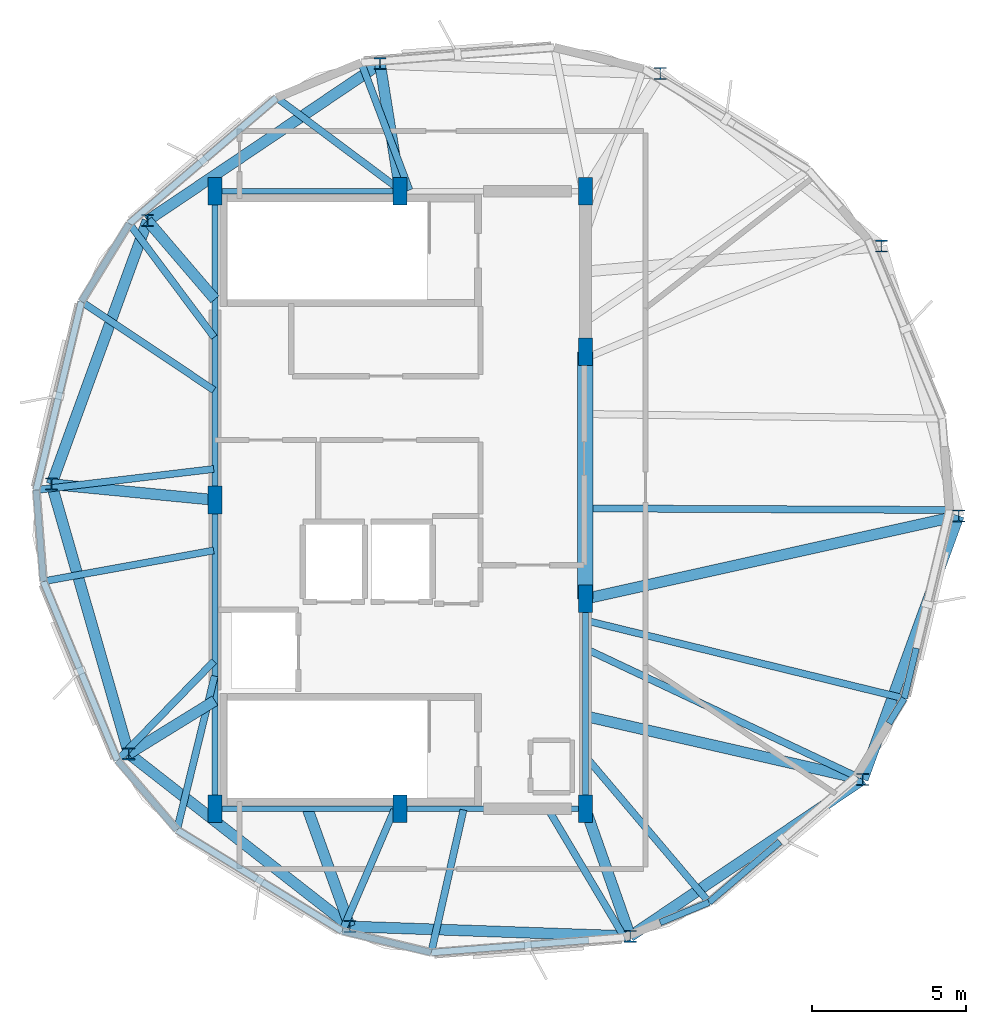
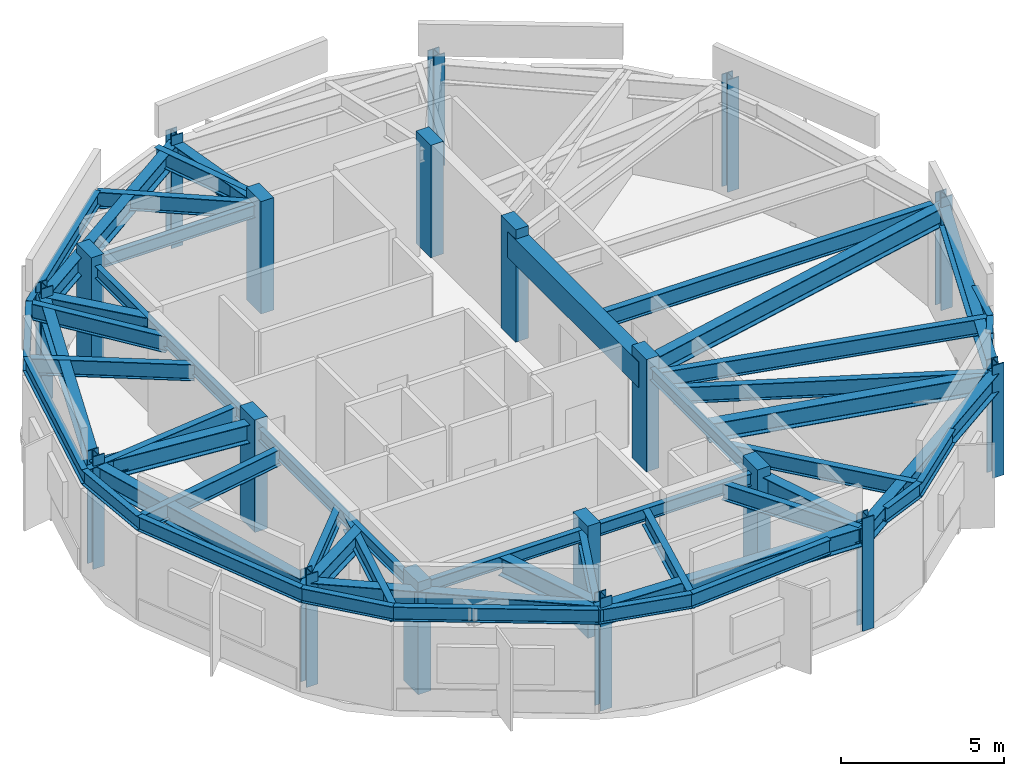
# One storey, part 1 of 5: 50 beams, 19 columns.
"""IFC4 building model written with IfcOpenShell, lengths in metres."""

from ifc_helpers import new_model, si_unit, direction, frame, origin, origin_2d, place, context, subcontext, project, spatial, rectangle, i_section, extrude, material, material_profile, profile_set, type_object, element, save


model = new_model("IFC4")

# Units and contexts
model_context = context("Model", 3, precision=1e-05, world=origin(), true_north=direction((0.0, 1.0)))
body_context = subcontext(model_context, "Body", "Model", "MODEL_VIEW")
ifc_project = project(units=[si_unit("LENGTHUNIT", "METRE"), si_unit("AREAUNIT", "SQUARE_METRE"), si_unit("VOLUMEUNIT", "CUBIC_METRE"), si_unit("PLANEANGLEUNIT", "RADIAN"), si_unit("MASSUNIT", "GRAM", prefix="KILO")], contexts=[model_context])

# Site, building, storey
site_placement = place(None, origin())
site = spatial("IfcSite", under=ifc_project, at=site_placement, CompositionType="ELEMENT")
building_placement = place(site_placement, origin())
building = spatial("IfcBuilding", under=site, at=building_placement, Name="Soratama Intermodal Tower", CompositionType="ELEMENT")
storey_placement = place(building_placement, frame((0.0, 0.0, 318.25)))
storey = spatial("IfcBuildingStorey", under=building, at=storey_placement, Name="L80", CompositionType="ELEMENT", Elevation=318.25)

# Columns
ifc_material_1 = material(Name="Structural steel ASTM A992 Grade 50", Category="steel")
ifc_material_profile_1 = material_profile(ifc_material_1, i_section(OverallWidth=0.39794921875, OverallDepth=0.386962890625, WebThickness=0.02099609375, FlangeThickness=0.033203125, FilletRadius=0.0380859375, at=origin_2d()), Name="W14X176")
ifc_profile_set_1 = profile_set([ifc_material_profile_1], Name="Structural steel ASTM A992 Grade 50")
column_type_1 = type_object("IfcColumnType", Name="COL-ZF-W14X176", PredefinedType="COLUMN", material=ifc_profile_set_1)
for number, where, z_axis, x_axis, name in (
    (1, (54.18701171875, 33.22021484375, 0.0), (0.0, 0.0, 1.0), (1.0, 0.0, 0.0), "L80 Tower Ring Column R01"),
    (2, (47.027587890625, 38.8134765625, 0.0), (0.0, 0.0, 1.0), (1.0, 0.0, 0.0), "L80 Tower Ring Column R02"),
    (3, (37.947998046875, 39.130615234375, 0.0), (0.0, 0.0, 1.0), (1.0, 0.0, 0.0), "L80 Tower Ring Column R03"),
    (4, (30.416259765625, 34.05029296875, 0.0), (0.0, 0.0, 1.0), (1.0, 0.0, 0.0), "L80 Tower Ring Column R04"),
    (5, (27.30908203125, 25.512939453125, 0.0), (0.0, 0.0, 1.0), (1.0, 0.0, 0.0), "L80 Tower Ring Column R05"),
    (6, (29.81298828125, 16.77978515625, 0.0), (0.0, 0.0, 1.0), (1.0, 0.0, 0.0), "L80 Tower Ring Column R06"),
    (7, (36.972412109375, 11.1865234375, 0.0), (0.0, 0.0, 1.0), (1.0, 0.0, 0.0), "L80 Tower Ring Column R07"),
    (8, (46.052001953125, 10.869384765625, 0.0), (0.0, 0.0, 1.0), (1.0, 0.0, 0.0), "L80 Tower Ring Column R08"),
    (9, (53.583740234375, 15.94970703125, 0.0), (0.0, 0.0, 1.0), (1.0, 0.0, 0.0), "L80 Tower Ring Column R09"),
    (10, (56.69091796875, 24.487060546875, 0.0), (0.0, 0.0, 1.0), (1.0, 0.0, 0.0), "L80 Tower Ring Column R10"),
):
    element("IfcColumn", number, at=place(storey_placement, frame(where, z_axis=z_axis, x_axis=x_axis)), inside=storey, type_object=column_type_1, Name=name, PredefinedType="COLUMN", context=body_context, shape_type="SweptSolid", body=[
        extrude(i_section(OverallWidth=0.39794921875, OverallDepth=0.386962890625, WebThickness=0.02099609375, FlangeThickness=0.033203125, FilletRadius=0.0380859375, at=origin_2d()), origin(), (0.0, 0.0, 1.0), 4.199951171875),
    ])
ifc_material_2 = material(Name="Concrete f'c 56 MPa", Category="concrete")
ifc_material_profile_2 = material_profile(ifc_material_2, rectangle(XDim=0.449951171875, YDim=0.89990234375, at=origin_2d()), Name="RC450X900")
ifc_profile_set_2 = profile_set([ifc_material_profile_2], Name="Concrete f'c 56 MPa")
column_type_2 = type_object("IfcColumnType", Name="PIL-CORE-450X900", PredefinedType="PILASTER", material=ifc_profile_set_2)
for number, where, z_axis, x_axis, name in (
    (11, (32.60009765625, 15.0, 0.0), (0.0, 0.0, 1.0), (1.0, 0.0, 0.0), "L80 Core Pilaster 1"),
    (12, (32.60009765625, 25.0, 0.0), (0.0, 0.0, 1.0), (1.0, 0.0, 0.0), "L80 Core Pilaster 2"),
    (13, (32.60009765625, 35.0, 0.0), (0.0, 0.0, 1.0), (1.0, 0.0, 0.0), "L80 Core Pilaster 3"),
    (14, (38.60009765625, 15.0, 0.0), (0.0, 0.0, 1.0), (1.0, 0.0, 0.0), "L80 Core Pilaster 4"),
    (15, (38.60009765625, 35.0, 0.0), (0.0, 0.0, 1.0), (1.0, 0.0, 0.0), "L80 Core Pilaster 5"),
    (16, (44.60009765625, 15.0, 0.0), (0.0, 0.0, 1.0), (1.0, 0.0, 0.0), "L80 Core Pilaster 6"),
    (17, (44.60009765625, 21.800048828125, 0.0), (0.0, 0.0, 1.0), (1.0, 0.0, 0.0), "L80 Core Pilaster 7"),
    (18, (44.60009765625, 29.800048828125, 0.0), (0.0, 0.0, 1.0), (1.0, 0.0, 0.0), "L80 Core Pilaster 8"),
    (19, (44.60009765625, 35.0, 0.0), (0.0, 0.0, 1.0), (1.0, 0.0, 0.0), "L80 Core Pilaster 9"),
):
    element("IfcColumn", number, at=place(storey_placement, frame(where, z_axis=z_axis, x_axis=x_axis)), inside=storey, type_object=column_type_2, Name=name, PredefinedType="PILASTER", context=body_context, shape_type="SweptSolid", body=[
        extrude(rectangle(XDim=0.449951171875, YDim=0.89990234375, at=origin_2d()), origin(), (0.0, 0.0, 1.0), 4.199951171875),
    ])

# Beams
ifc_material_3 = material(Name="Concrete f'c 56 MPa", Category="concrete")
ifc_material_profile_3 = material_profile(ifc_material_3, rectangle(XDim=0.5, YDim=0.949951171875, at=origin_2d()), Name="RC500X950")
ifc_profile_set_3 = profile_set([ifc_material_profile_3], Name="Concrete f'c 56 MPa")
beam_type_1 = type_object("IfcBeamType", Name="BM-CPL-RC500X950", PredefinedType="BEAM", material=ifc_profile_set_3)
beam_1_placement = place(storey_placement, frame((44.60009765625, 21.800048828125, 3.375), z_axis=(0.0, 1.0, 0.0), x_axis=(-1.0, 0.0, 0.0)))
element("IfcBeam", 20, at=beam_1_placement, inside=storey, type_object=beam_type_1, Name="L80 Core Coupling Beam East", PredefinedType="BEAM", context=body_context, shape_type="SweptSolid", body=[
    extrude(rectangle(XDim=0.5, YDim=0.949951171875, at=origin_2d()), origin(), (0.0, 0.0, 1.0), 8.0),
])
ifc_material_4 = material(Name="Structural steel ASTM A992 Grade 50", Category="steel")
ifc_material_profile_4 = material_profile(ifc_material_4, i_section(OverallWidth=0.19091796875, OverallDepth=0.4599609375, WebThickness=0.010009765625, FlangeThickness=0.01611328125, FilletRadius=0.010986328125, at=origin_2d()), Name="W18X55")
ifc_profile_set_4 = profile_set([ifc_material_profile_4], Name="Structural steel ASTM A992 Grade 50")
beam_type_2 = type_object("IfcBeamType", Name="BM-FLR-W18X55", PredefinedType="BEAM", material=ifc_profile_set_4)
for number, where, z_axis, x_axis, name in (
    (21, (32.60009765625, 15.0, 3.6201171875), (1.0, 0.0, 0.0), (0.0, 1.0, 0.0), "BM-L80-CRING-01"),
    (22, (38.60009765625, 15.0, 3.6201171875), (1.0, 0.0, 0.0), (0.0, 1.0, 0.0), "BM-L80-CRING-02"),
):
    element("IfcBeam", number, at=place(storey_placement, frame(where, z_axis=z_axis, x_axis=x_axis)), inside=storey, type_object=beam_type_2, Name=name, PredefinedType="BEAM", context=body_context, shape_type="SweptSolid", body=[
        extrude(i_section(OverallWidth=0.19091796875, OverallDepth=0.4599609375, WebThickness=0.010009765625, FlangeThickness=0.01611328125, FilletRadius=0.010986328125, at=origin_2d()), origin(), (0.0, 0.0, 1.0), 6.0),
    ])
beam_2_placement = place(storey_placement, frame((44.60009765625, 15.0, 3.6201171875), z_axis=(0.0, 1.0, 0.0), x_axis=(-1.0, 0.0, 0.0)))
element("IfcBeam", 23, at=beam_2_placement, inside=storey, type_object=beam_type_2, Name="BM-L80-CRING-03", PredefinedType="BEAM", context=body_context, shape_type="SweptSolid", body=[
    extrude(i_section(OverallWidth=0.19091796875, OverallDepth=0.4599609375, WebThickness=0.010009765625, FlangeThickness=0.01611328125, FilletRadius=0.010986328125, at=origin_2d()), origin(), (0.0, 0.0, 1.0), 6.800048828125),
])
beam_3_placement = place(storey_placement, frame((38.60009765625, 35.0, 3.6201171875), z_axis=(-1.0, 0.0, 0.0), x_axis=(0.0, -1.0, 0.0)))
element("IfcBeam", 24, at=beam_3_placement, inside=storey, type_object=beam_type_2, Name="BM-L80-CRING-07", PredefinedType="BEAM", context=body_context, shape_type="SweptSolid", body=[
    extrude(i_section(OverallWidth=0.19091796875, OverallDepth=0.4599609375, WebThickness=0.010009765625, FlangeThickness=0.01611328125, FilletRadius=0.010986328125, at=origin_2d()), origin(), (0.0, 0.0, 1.0), 6.0),
])
for number, where, z_axis, x_axis, name in (
    (25, (32.60009765625, 35.0, 3.6201171875), (0.0, -1.0, 0.0), (1.0, 0.0, 0.0), "BM-L80-CRING-08"),
    (26, (32.60009765625, 25.0, 3.6201171875), (0.0, -1.0, 0.0), (1.0, 0.0, 0.0), "BM-L80-CRING-09"),
):
    element("IfcBeam", number, at=place(storey_placement, frame(where, z_axis=z_axis, x_axis=x_axis)), inside=storey, type_object=beam_type_2, Name=name, PredefinedType="BEAM", context=body_context, shape_type="SweptSolid", body=[
        extrude(i_section(OverallWidth=0.19091796875, OverallDepth=0.4599609375, WebThickness=0.010009765625, FlangeThickness=0.01611328125, FilletRadius=0.010986328125, at=origin_2d()), origin(), (0.0, 0.0, 1.0), 10.0),
    ])
ifc_material_5 = material(Name="Structural steel ASTM A992 Grade 50", Category="steel")
ifc_material_profile_5 = material_profile(ifc_material_5, i_section(OverallWidth=0.35498046875, OverallDepth=0.695068359375, WebThickness=0.015380859375, FlangeThickness=0.02490234375, FilletRadius=0.01611328125, at=origin_2d()), Name="W27X146")
ifc_profile_set_5 = profile_set([ifc_material_profile_5], Name="Structural steel ASTM A992 Grade 50")
beam_type_3 = type_object("IfcBeamType", Name="BM-RING-W27X146", PredefinedType="BEAM", material=ifc_profile_set_5)
for number, where, z_axis, x_axis, name in (
    (27, (37.947998046875, 39.1298828125, 3.50244140625), (-0.829065755123, -0.559151118824, 0.0), (0.559151118824, -0.829065755123, 0.0), "BM-L80-RING-03"),
    (28, (30.416015625, 34.050048828125, 3.50244140625), (-0.341989029925, -0.939703944555, 0.0), (0.939703944555, -0.341989029925, 0.0), "BM-L80-RING-04"),
):
    element("IfcBeam", number, at=place(storey_placement, frame(where, z_axis=z_axis, x_axis=x_axis)), inside=storey, type_object=beam_type_3, Name=name, PredefinedType="BEAM", context=body_context, shape_type="SweptSolid", body=[
        extrude(i_section(OverallWidth=0.35498046875, OverallDepth=0.695068359375, WebThickness=0.015380859375, FlangeThickness=0.02490234375, FilletRadius=0.01611328125, at=origin_2d()), origin(), (0.0, 0.0, 1.0), 9.0849609375),
    ])
for number, where, z_axis, x_axis, name in (
    (29, (27.30908203125, 25.512939453125, 3.50244140625), (0.275615442928, -0.961267979088, 0.0), (0.961267979088, 0.275615442928, 0.0), "BM-L80-RING-05"),
    (30, (29.81298828125, 16.780029296875, 3.50244140625), (0.78801907717, -0.615650821502, 0.0), (0.615650821502, 0.78801907717, 0.0), "BM-L80-RING-06"),
):
    element("IfcBeam", number, at=place(storey_placement, frame(where, z_axis=z_axis, x_axis=x_axis)), inside=storey, type_object=beam_type_3, Name=name, PredefinedType="BEAM", context=body_context, shape_type="SweptSolid", body=[
        extrude(i_section(OverallWidth=0.35498046875, OverallDepth=0.695068359375, WebThickness=0.015380859375, FlangeThickness=0.02490234375, FilletRadius=0.01611328125, at=origin_2d()), origin(), (0.0, 0.0, 1.0), 9.084716796875),
    ])
beam_4_placement = place(storey_placement, frame((36.971923828125, 11.18701171875, 3.50244140625), z_axis=(0.999391551516, -0.034878743651, 0.0), x_axis=(0.034878743651, 0.999391551516, 0.0)))
element("IfcBeam", 31, at=beam_4_placement, inside=storey, type_object=beam_type_3, Name="BM-L80-RING-07", PredefinedType="BEAM", context=body_context, shape_type="SweptSolid", body=[
    extrude(i_section(OverallWidth=0.35498046875, OverallDepth=0.695068359375, WebThickness=0.015380859375, FlangeThickness=0.02490234375, FilletRadius=0.01611328125, at=origin_2d()), origin(), (0.0, 0.0, 1.0), 9.085693359375),
])
for number, where, z_axis, x_axis, name in (
    (32, (46.052001953125, 10.8701171875, 3.50244140625), (0.829065755123, 0.559151118824, 0.0), (-0.559151118824, 0.829065755123, 0.0), "BM-L80-RING-08"),
    (33, (53.583984375, 15.949951171875, 3.50244140625), (0.341989029925, 0.939703944555, 0.0), (-0.939703944555, 0.341989029925, 0.0), "BM-L80-RING-09"),
):
    element("IfcBeam", number, at=place(storey_placement, frame(where, z_axis=z_axis, x_axis=x_axis)), inside=storey, type_object=beam_type_3, Name=name, PredefinedType="BEAM", context=body_context, shape_type="SweptSolid", body=[
        extrude(i_section(OverallWidth=0.35498046875, OverallDepth=0.695068359375, WebThickness=0.015380859375, FlangeThickness=0.02490234375, FilletRadius=0.01611328125, at=origin_2d()), origin(), (0.0, 0.0, 1.0), 9.0849609375),
    ])
beam_5_placement = place(storey_placement, frame((38.60009765625, 35.0, 3.50244140625), z_axis=(-0.155965571991, 0.987762491874, 0.0), x_axis=(-0.987762491874, -0.155965571991, 0.0)))
element("IfcBeam", 34, at=beam_5_placement, inside=storey, type_object=beam_type_3, Name="BM-L80-RAD-03", PredefinedType="BEAM", context=body_context, shape_type="SweptSolid", body=[
    extrude(i_section(OverallWidth=0.35498046875, OverallDepth=0.695068359375, WebThickness=0.015380859375, FlangeThickness=0.02490234375, FilletRadius=0.01611328125, at=origin_2d()), origin(), (0.0, 0.0, 1.0), 4.18115234375),
])
beam_6_placement = place(storey_placement, frame((32.60009765625, 31.5, 3.50244140625), z_axis=(-0.650503890691, 0.759502921782, 0.0), x_axis=(-0.759502921782, -0.650503890691, 0.0)))
element("IfcBeam", 35, at=beam_6_placement, inside=storey, type_object=beam_type_3, Name="BM-L80-RAD-04", PredefinedType="BEAM", context=body_context, shape_type="SweptSolid", body=[
    extrude(i_section(OverallWidth=0.35498046875, OverallDepth=0.695068359375, WebThickness=0.015380859375, FlangeThickness=0.02490234375, FilletRadius=0.01611328125, at=origin_2d()), origin(), (0.0, 0.0, 1.0), 3.357421875),
])
beam_7_placement = place(storey_placement, frame((32.60009765625, 25.0, 3.50244140625), z_axis=(-0.995333664321, 0.096492987668, 0.0), x_axis=(-0.096492987668, -0.995333664321, 0.0)))
element("IfcBeam", 36, at=beam_7_placement, inside=storey, type_object=beam_type_3, Name="BM-L80-RAD-05", PredefinedType="BEAM", context=body_context, shape_type="SweptSolid", body=[
    extrude(i_section(OverallWidth=0.35498046875, OverallDepth=0.695068359375, WebThickness=0.015380859375, FlangeThickness=0.02490234375, FilletRadius=0.01611328125, at=origin_2d()), origin(), (0.0, 0.0, 1.0), 5.31591796875),
])
beam_8_placement = place(storey_placement, frame((32.60009765625, 18.5, 3.50244140625), z_axis=(-0.850999862817, -0.525165910437, 0.0), x_axis=(0.525165910437, -0.850999862817, 0.0)))
element("IfcBeam", 37, at=beam_8_placement, inside=storey, type_object=beam_type_3, Name="BM-L80-RAD-06", PredefinedType="BEAM", context=body_context, shape_type="SweptSolid", body=[
    extrude(i_section(OverallWidth=0.35498046875, OverallDepth=0.695068359375, WebThickness=0.015380859375, FlangeThickness=0.02490234375, FilletRadius=0.01611328125, at=origin_2d()), origin(), (0.0, 0.0, 1.0), 3.275146484375),
])
beam_9_placement = place(storey_placement, frame((35.60009765625, 15.0, 3.50244140625), z_axis=(0.33853385328, -0.940954212586, 0.0), x_axis=(0.940954212586, 0.33853385328, 0.0)))
element("IfcBeam", 38, at=beam_9_placement, inside=storey, type_object=beam_type_3, Name="BM-L80-RAD-07", PredefinedType="BEAM", context=body_context, shape_type="SweptSolid", body=[
    extrude(i_section(OverallWidth=0.35498046875, OverallDepth=0.695068359375, WebThickness=0.015380859375, FlangeThickness=0.02490234375, FilletRadius=0.01611328125, at=origin_2d()), origin(), (0.0, 0.0, 1.0), 4.05224609375),
])
beam_10_placement = place(storey_placement, frame((44.60009765625, 15.0, 3.50244140625), z_axis=(0.331661746867, -0.943398370608, 0.0), x_axis=(0.943398370608, 0.331661746867, 0.0)))
element("IfcBeam", 39, at=beam_10_placement, inside=storey, type_object=beam_type_3, Name="BM-L80-RAD-08", PredefinedType="BEAM", context=body_context, shape_type="SweptSolid", body=[
    extrude(i_section(OverallWidth=0.35498046875, OverallDepth=0.695068359375, WebThickness=0.015380859375, FlangeThickness=0.02490234375, FilletRadius=0.01611328125, at=origin_2d()), origin(), (0.0, 0.0, 1.0), 4.377685546875),
])
beam_11_placement = place(storey_placement, frame((44.60009765625, 18.0, 3.50244140625), z_axis=(0.974938851068, -0.222473002131, 0.0), x_axis=(0.222473002131, 0.974938851068, 0.0)))
element("IfcBeam", 40, at=beam_11_placement, inside=storey, type_object=beam_type_3, Name="BM-L80-RAD-09", PredefinedType="BEAM", context=body_context, shape_type="SweptSolid", body=[
    extrude(i_section(OverallWidth=0.35498046875, OverallDepth=0.695068359375, WebThickness=0.015380859375, FlangeThickness=0.02490234375, FilletRadius=0.01611328125, at=origin_2d()), origin(), (0.0, 0.0, 1.0), 9.21484375),
])
beam_12_placement = place(storey_placement, frame((44.60009765625, 21.800048828125, 3.50244140625), z_axis=(0.976184277327, 0.216942980298, 0.0), x_axis=(-0.216942980298, 0.976184277327, 0.0)))
element("IfcBeam", 41, at=beam_12_placement, inside=storey, type_object=beam_type_3, Name="BM-L80-RAD-10", PredefinedType="BEAM", context=body_context, shape_type="SweptSolid", body=[
    extrude(i_section(OverallWidth=0.35498046875, OverallDepth=0.695068359375, WebThickness=0.015380859375, FlangeThickness=0.02490234375, FilletRadius=0.01611328125, at=origin_2d()), origin(), (0.0, 0.0, 1.0), 12.3857421875),
])
ifc_material_6 = material(Name="Structural steel ASTM A992 Grade 50", Category="steel")
ifc_material_profile_6 = material_profile(ifc_material_6, i_section(OverallWidth=0.2099609375, OverallDepth=0.537109375, WebThickness=0.010986328125, FlangeThickness=0.017333984375, FilletRadius=0.012939453125, at=origin_2d()), Name="W21X68")
ifc_profile_set_6 = profile_set([ifc_material_profile_6], Name="Structural steel ASTM A992 Grade 50")
beam_type_4 = type_object("IfcBeamType", Name="BM-SPN-W21X68", PredefinedType="SPANDREL", material=ifc_profile_set_6)
beam_13_placement = place(storey_placement, frame((34.596923828125, 38.030029296875, 3.58154296875), z_axis=(-0.760395295981, -0.649460540641, 0.0), x_axis=(0.649460540641, -0.760395295981, 0.0)))
element("IfcBeam", 42, at=beam_13_placement, inside=storey, type_object=beam_type_4, Name="BS-L80-F02", PredefinedType="SPANDREL", context=body_context, shape_type="SweptSolid", body=[
    extrude(i_section(OverallWidth=0.2099609375, OverallDepth=0.537109375, WebThickness=0.010986328125, FlangeThickness=0.017333984375, FilletRadius=0.012939453125, at=origin_2d()), origin(), (0.0, 0.0, 1.0), 6.2744140625),
])
beam_14_placement = place(storey_placement, frame((29.825927734375, 33.955078125, 3.58154296875), z_axis=(-0.522411551249, -0.852693480169, 0.0), x_axis=(0.852693480169, -0.522411551249, 0.0)))
element("IfcBeam", 43, at=beam_14_placement, inside=storey, type_object=beam_type_4, Name="BS-L80-CRN02", PredefinedType="SPANDREL", context=body_context, shape_type="SweptSolid", body=[
    extrude(i_section(OverallWidth=0.2099609375, OverallDepth=0.537109375, WebThickness=0.010986328125, FlangeThickness=0.017333984375, FilletRadius=0.012939453125, at=origin_2d()), origin(), (0.0, 0.0, 1.0), 2.967041015625),
])
beam_15_placement = place(storey_placement, frame((28.27587890625, 31.425048828125, 3.58154296875), z_axis=(-0.233461250019, -0.97236610633, 0.0), x_axis=(0.97236610633, -0.233461250019, 0.0)))
element("IfcBeam", 44, at=beam_15_placement, inside=storey, type_object=beam_type_4, Name="BS-L80-F03", PredefinedType="SPANDREL", context=body_context, shape_type="SweptSolid", body=[
    extrude(i_section(OverallWidth=0.2099609375, OverallDepth=0.537109375, WebThickness=0.010986328125, FlangeThickness=0.017333984375, FilletRadius=0.012939453125, at=origin_2d()), origin(), (0.0, 0.0, 1.0), 6.2744140625),
])
beam_16_placement = place(storey_placement, frame((26.81103515625, 25.323974609375, 3.58154296875), z_axis=(0.078495903938, -0.99691443618, 0.0), x_axis=(0.99691443618, 0.078495903938, 0.0)))
element("IfcBeam", 45, at=beam_16_placement, inside=storey, type_object=beam_type_4, Name="BS-L80-CRN03", PredefinedType="SPANDREL", context=body_context, shape_type="SweptSolid", body=[
    extrude(i_section(OverallWidth=0.2099609375, OverallDepth=0.537109375, WebThickness=0.010986328125, FlangeThickness=0.017333984375, FilletRadius=0.012939453125, at=origin_2d()), origin(), (0.0, 0.0, 1.0), 2.96728515625),
])
beam_17_placement = place(storey_placement, frame((27.0439453125, 22.365966796875, 3.58154296875), z_axis=(0.382680548747, -0.92388072694, 0.0), x_axis=(0.92388072694, 0.382680548747, 0.0)))
element("IfcBeam", 46, at=beam_17_placement, inside=storey, type_object=beam_type_4, Name="BS-L80-F04", PredefinedType="SPANDREL", context=body_context, shape_type="SweptSolid", body=[
    extrude(i_section(OverallWidth=0.2099609375, OverallDepth=0.537109375, WebThickness=0.010986328125, FlangeThickness=0.017333984375, FilletRadius=0.012939453125, at=origin_2d()), origin(), (0.0, 0.0, 1.0), 6.2744140625),
])
beam_18_placement = place(storey_placement, frame((29.445068359375, 16.569091796875, 3.58154296875), z_axis=(0.649469000808, -0.760388069994, 0.0), x_axis=(0.760388069994, 0.649469000808, 0.0)))
element("IfcBeam", 47, at=beam_18_placement, inside=storey, type_object=beam_type_4, Name="BS-L80-CRN04", PredefinedType="SPANDREL", context=body_context, shape_type="SweptSolid", body=[
    extrude(i_section(OverallWidth=0.2099609375, OverallDepth=0.537109375, WebThickness=0.010986328125, FlangeThickness=0.017333984375, FilletRadius=0.012939453125, at=origin_2d()), origin(), (0.0, 0.0, 1.0), 2.967041015625),
])
beam_19_placement = place(storey_placement, frame((31.3720703125, 14.31298828125, 3.58154296875), z_axis=(0.852662762815, -0.522461685589, 0.0), x_axis=(0.522461685589, 0.852662762815, 0.0)))
element("IfcBeam", 48, at=beam_19_placement, inside=storey, type_object=beam_type_4, Name="BS-L80-F05", PredefinedType="SPANDREL", context=body_context, shape_type="SweptSolid", body=[
    extrude(i_section(OverallWidth=0.2099609375, OverallDepth=0.537109375, WebThickness=0.010986328125, FlangeThickness=0.017333984375, FilletRadius=0.012939453125, at=origin_2d()), origin(), (0.0, 0.0, 1.0), 6.274169921875),
])
beam_20_placement = place(storey_placement, frame((36.721923828125, 11.034912109375, 3.58154296875), z_axis=(0.972333481715, -0.233597089741, 0.0), x_axis=(0.233597089741, 0.972333481715, 0.0)))
element("IfcBeam", 49, at=beam_20_placement, inside=storey, type_object=beam_type_4, Name="BS-L80-CRN05", PredefinedType="SPANDREL", context=body_context, shape_type="SweptSolid", body=[
    extrude(i_section(OverallWidth=0.2099609375, OverallDepth=0.537109375, WebThickness=0.010986328125, FlangeThickness=0.017333984375, FilletRadius=0.012939453125, at=origin_2d()), origin(), (0.0, 0.0, 1.0), 2.966064453125),
])
beam_21_placement = place(storey_placement, frame((39.60595703125, 10.342041015625, 3.58154296875), z_axis=(0.996914863652, 0.078490474771, 0.0), x_axis=(-0.078490474771, 0.996914863652, 0.0)))
element("IfcBeam", 50, at=beam_21_placement, inside=storey, type_object=beam_type_4, Name="BS-L80-F06", PredefinedType="SPANDREL", context=body_context, shape_type="SweptSolid", body=[
    extrude(i_section(OverallWidth=0.2099609375, OverallDepth=0.537109375, WebThickness=0.010986328125, FlangeThickness=0.017333984375, FilletRadius=0.012939453125, at=origin_2d()), origin(), (0.0, 0.0, 1.0), 5.119873046875),
])
beam_22_placement = place(storey_placement, frame((47.01904296875, 11.31396484375, 3.58154296875), z_axis=(0.923900555452, 0.382632674553, 0.0), x_axis=(-0.382632674553, 0.923900555452, 0.0)))
element("IfcBeam", 51, at=beam_22_placement, inside=storey, type_object=beam_type_4, Name="BS-L80-CRN06", PredefinedType="SPANDREL", context=body_context, shape_type="SweptSolid", body=[
    extrude(i_section(OverallWidth=0.2099609375, OverallDepth=0.537109375, WebThickness=0.010986328125, FlangeThickness=0.017333984375, FilletRadius=0.012939453125, at=origin_2d()), origin(), (0.0, 0.0, 1.0), 1.71435546875),
])
beam_23_placement = place(storey_placement, frame((48.60302734375, 11.969970703125, 3.58154296875), z_axis=(0.760396971557, 0.649458578854, 0.0), x_axis=(-0.649458578854, 0.760396971557, 0.0)))
element("IfcBeam", 52, at=beam_23_placement, inside=storey, type_object=beam_type_4, Name="BS-L80-F07", PredefinedType="SPANDREL", context=body_context, shape_type="SweptSolid", body=[
    extrude(i_section(OverallWidth=0.2099609375, OverallDepth=0.537109375, WebThickness=0.010986328125, FlangeThickness=0.017333984375, FilletRadius=0.012939453125, at=origin_2d()), origin(), (0.0, 0.0, 1.0), 3.019287109375),
])
beam_24_placement = place(storey_placement, frame((54.428955078125, 17.76708984375, 3.58154296875), z_axis=(0.522543931629, 0.852612361814, 0.0), x_axis=(-0.852612361814, 0.522543931629, 0.0)))
element("IfcBeam", 53, at=beam_24_placement, inside=storey, type_object=beam_type_4, Name="BS-L80-CRN07", PredefinedType="SPANDREL", context=body_context, shape_type="SweptSolid", body=[
    extrude(i_section(OverallWidth=0.2099609375, OverallDepth=0.537109375, WebThickness=0.010986328125, FlangeThickness=0.017333984375, FilletRadius=0.012939453125, at=origin_2d()), origin(), (0.0, 0.0, 1.0), 0.947509765625),
])
beam_25_placement = place(storey_placement, frame((54.924072265625, 18.574951171875, 3.58154296875), z_axis=(0.233444824087, 0.972370049985, 0.0), x_axis=(-0.972370049985, 0.233444824087, 0.0)))
element("IfcBeam", 54, at=beam_25_placement, inside=storey, type_object=beam_type_4, Name="BS-L80-F08", PredefinedType="SPANDREL", context=body_context, shape_type="SweptSolid", body=[
    extrude(i_section(OverallWidth=0.2099609375, OverallDepth=0.537109375, WebThickness=0.010986328125, FlangeThickness=0.017333984375, FilletRadius=0.012939453125, at=origin_2d()), origin(), (0.0, 0.0, 1.0), 1.670166015625),
])
ifc_material_7 = material(Name="Structural steel ASTM A992 Grade 50", Category="steel")
ifc_material_profile_7 = material_profile(ifc_material_7, i_section(OverallWidth=0.22900390625, OverallDepth=0.612060546875, WebThickness=0.011962890625, FlangeThickness=0.01953125, FilletRadius=0.012939453125, at=origin_2d()), Name="W24X84")
ifc_profile_set_7 = profile_set([ifc_material_profile_7], Name="Structural steel ASTM A992 Grade 50")
beam_type_5 = type_object("IfcBeamType", Name="BM-TIE-W24X84", PredefinedType="BEAM", material=ifc_profile_set_7)
beam_26_placement = place(storey_placement, frame((38.902099609375, 35.037109375, 3.5439453125), z_axis=(-0.354345777311, 0.935114468983, 0.0), x_axis=(-0.935114468983, -0.354345777311, 0.0)))
element("IfcBeam", 55, at=beam_26_placement, inside=storey, type_object=beam_type_5, Name="BM-L80-TIE1-01", PredefinedType="BEAM", context=body_context, shape_type="SweptSolid", body=[
    extrude(i_section(OverallWidth=0.22900390625, OverallDepth=0.612060546875, WebThickness=0.011962890625, FlangeThickness=0.01953125, FilletRadius=0.012939453125, at=origin_2d()), origin(), (0.0, 0.0, 1.0), 4.414306640625),
])
beam_27_placement = place(storey_placement, frame((38.6240234375, 35.02392578125, 3.5439453125), z_axis=(-0.80135629617, 0.598187334025, 0.0), x_axis=(-0.598187334025, -0.80135629617, 0.0)))
element("IfcBeam", 56, at=beam_27_placement, inside=storey, type_object=beam_type_5, Name="BM-L80-TIE0-02", PredefinedType="BEAM", context=body_context, shape_type="SweptSolid", body=[
    extrude(i_section(OverallWidth=0.22900390625, OverallDepth=0.612060546875, WebThickness=0.011962890625, FlangeThickness=0.01953125, FilletRadius=0.012939453125, at=origin_2d()), origin(), (0.0, 0.0, 1.0), 5.025390625),
])
beam_28_placement = place(storey_placement, frame((32.575927734375, 30.27099609375, 3.5439453125), z_axis=(-0.598180118546, 0.801361682249, 0.0), x_axis=(-0.801361682249, -0.598180118546, 0.0)))
element("IfcBeam", 57, at=beam_28_placement, inside=storey, type_object=beam_type_5, Name="BM-L80-TIE1-02", PredefinedType="BEAM", context=body_context, shape_type="SweptSolid", body=[
    extrude(i_section(OverallWidth=0.22900390625, OverallDepth=0.612060546875, WebThickness=0.011962890625, FlangeThickness=0.01953125, FilletRadius=0.012939453125, at=origin_2d()), origin(), (0.0, 0.0, 1.0), 4.59716796875),
])
beam_29_placement = place(storey_placement, frame((32.56689453125, 28.55908203125, 3.5439453125), z_axis=(-0.831576859637, 0.555409692494, 0.0), x_axis=(-0.555409692494, -0.831576859637, 0.0)))
element("IfcBeam", 58, at=beam_29_placement, inside=storey, type_object=beam_type_5, Name="BM-L80-TIE0-03", PredefinedType="BEAM", context=body_context, shape_type="SweptSolid", body=[
    extrude(i_section(OverallWidth=0.22900390625, OverallDepth=0.612060546875, WebThickness=0.011962890625, FlangeThickness=0.01953125, FilletRadius=0.012939453125, at=origin_2d()), origin(), (0.0, 0.0, 1.0), 5.16015625),
])
beam_30_placement = place(storey_placement, frame((32.56005859375, 26.00390625, 3.5439453125), z_axis=(-0.99307873853, -0.117450496297, 0.0), x_axis=(0.117450496297, -0.99307873853, 0.0)))
element("IfcBeam", 59, at=beam_30_placement, inside=storey, type_object=beam_type_5, Name="BM-L80-TIE1-03", PredefinedType="BEAM", context=body_context, shape_type="SweptSolid", body=[
    extrude(i_section(OverallWidth=0.22900390625, OverallDepth=0.612060546875, WebThickness=0.011962890625, FlangeThickness=0.01953125, FilletRadius=0.012939453125, at=origin_2d()), origin(), (0.0, 0.0, 1.0), 5.7890625),
])
beam_31_placement = place(storey_placement, frame((32.56103515625, 23.364990234375, 3.5439453125), z_axis=(-0.983997849775, -0.1781803346, 0.0), x_axis=(0.1781803346, -0.983997849775, 0.0)))
element("IfcBeam", 60, at=beam_31_placement, inside=storey, type_object=beam_type_5, Name="BM-L80-TIE0-04", PredefinedType="BEAM", context=body_context, shape_type="SweptSolid", body=[
    extrude(i_section(OverallWidth=0.22900390625, OverallDepth=0.612060546875, WebThickness=0.011962890625, FlangeThickness=0.01953125, FilletRadius=0.012939453125, at=origin_2d()), origin(), (0.0, 0.0, 1.0), 5.606689453125),
])
beam_32_placement = place(storey_placement, frame((32.572021484375, 19.779052734375, 3.5439453125), z_axis=(-0.697784462759, -0.716307785475, 0.0), x_axis=(0.716307785475, -0.697784462759, 0.0)))
element("IfcBeam", 61, at=beam_32_placement, inside=storey, type_object=beam_type_5, Name="BM-L80-TIE1-04", PredefinedType="BEAM", context=body_context, shape_type="SweptSolid", body=[
    extrude(i_section(OverallWidth=0.22900390625, OverallDepth=0.612060546875, WebThickness=0.011962890625, FlangeThickness=0.01953125, FilletRadius=0.012939453125, at=origin_2d()), origin(), (0.0, 0.0, 1.0), 4.481201171875),
])
beam_33_placement = place(storey_placement, frame((32.590087890625, 19.297119140625, 3.5439453125), z_axis=(-0.237393222838, -0.971413638853, 0.0), x_axis=(0.971413638853, -0.237393222838, 0.0)))
element("IfcBeam", 62, at=beam_33_placement, inside=storey, type_object=beam_type_5, Name="BM-L80-TIE0-05", PredefinedType="BEAM", context=body_context, shape_type="SweptSolid", body=[
    extrude(i_section(OverallWidth=0.22900390625, OverallDepth=0.612060546875, WebThickness=0.011962890625, FlangeThickness=0.01953125, FilletRadius=0.012939453125, at=origin_2d()), origin(), (0.0, 0.0, 1.0), 5.130859375),
])
beam_34_placement = place(storey_placement, frame((38.409912109375, 14.962890625, 3.5439453125), z_axis=(-0.394821953674, -0.918757652973, 0.0), x_axis=(0.918757652973, -0.394821953674, 0.0)))
element("IfcBeam", 63, at=beam_34_placement, inside=storey, type_object=beam_type_5, Name="BM-L80-TIE1-05", PredefinedType="BEAM", context=body_context, shape_type="SweptSolid", body=[
    extrude(i_section(OverallWidth=0.22900390625, OverallDepth=0.612060546875, WebThickness=0.011962890625, FlangeThickness=0.01953125, FilletRadius=0.012939453125, at=origin_2d()), origin(), (0.0, 0.0, 1.0), 4.275390625),
])
beam_35_placement = place(storey_placement, frame((40.65087890625, 14.9609375, 3.5439453125), z_axis=(-0.220651695345, -0.975352669213, 0.0), x_axis=(0.975352669213, -0.220651695345, 0.0)))
element("IfcBeam", 64, at=beam_35_placement, inside=storey, type_object=beam_type_5, Name="BM-L80-TIE0-06", PredefinedType="BEAM", context=body_context, shape_type="SweptSolid", body=[
    extrude(i_section(OverallWidth=0.22900390625, OverallDepth=0.612060546875, WebThickness=0.011962890625, FlangeThickness=0.01953125, FilletRadius=0.012939453125, at=origin_2d()), origin(), (0.0, 0.0, 1.0), 4.735595703125),
])
beam_36_placement = place(storey_placement, frame((43.405029296875, 14.966064453125, 3.5439453125), z_axis=(0.511182896155, -0.859471958052, 0.0), x_axis=(0.859471958052, 0.511182896155, 0.0)))
element("IfcBeam", 65, at=beam_36_placement, inside=storey, type_object=beam_type_5, Name="BM-L80-TIE1-06", PredefinedType="BEAM", context=body_context, shape_type="SweptSolid", body=[
    extrude(i_section(OverallWidth=0.22900390625, OverallDepth=0.612060546875, WebThickness=0.011962890625, FlangeThickness=0.01953125, FilletRadius=0.012939453125, at=origin_2d()), origin(), (0.0, 0.0, 1.0), 4.806640625),
])
beam_37_placement = place(storey_placement, frame((44.6259765625, 16.6669921875, 3.5439453125), z_axis=(0.646192936215, -0.763174088388, 0.0), x_axis=(0.763174088388, 0.646192936215, 0.0)))
element("IfcBeam", 66, at=beam_37_placement, inside=storey, type_object=beam_type_5, Name="BM-L80-TIE0-07", PredefinedType="BEAM", context=body_context, shape_type="SweptSolid", body=[
    extrude(i_section(OverallWidth=0.22900390625, OverallDepth=0.612060546875, WebThickness=0.011962890625, FlangeThickness=0.01953125, FilletRadius=0.012939453125, at=origin_2d()), origin(), (0.0, 0.0, 1.0), 6.154541015625),
])
beam_38_placement = place(storey_placement, frame((44.635986328125, 20.1669921875, 3.5439453125), z_axis=(0.904417426721, -0.426648705897, 0.0), x_axis=(0.426648705897, 0.904417426721, 0.0)))
element("IfcBeam", 67, at=beam_38_placement, inside=storey, type_object=beam_type_5, Name="BM-L80-TIE1-07", PredefinedType="BEAM", context=body_context, shape_type="SweptSolid", body=[
    extrude(i_section(OverallWidth=0.22900390625, OverallDepth=0.612060546875, WebThickness=0.011962890625, FlangeThickness=0.01953125, FilletRadius=0.012939453125, at=origin_2d()), origin(), (0.0, 0.0, 1.0), 9.66162109375),
])
beam_39_placement = place(storey_placement, frame((44.638916015625, 21.090087890625, 3.5439453125), z_axis=(0.971377491959, -0.237541087214, 0.0), x_axis=(0.237541087214, 0.971377491959, 0.0)))
element("IfcBeam", 68, at=beam_39_placement, inside=storey, type_object=beam_type_5, Name="BM-L80-TIE0-08", PredefinedType="BEAM", context=body_context, shape_type="SweptSolid", body=[
    extrude(i_section(OverallWidth=0.22900390625, OverallDepth=0.612060546875, WebThickness=0.011962890625, FlangeThickness=0.01953125, FilletRadius=0.012939453125, at=origin_2d()), origin(), (0.0, 0.0, 1.0), 10.588134765625),
])
beam_40_placement = place(storey_placement, frame((44.8349609375, 24.72705078125, 3.5439453125), z_axis=(0.99999024842, -0.004416227405, 0.0), x_axis=(0.004416227405, 0.99999024842, 0.0)))
element("IfcBeam", 69, at=beam_40_placement, inside=storey, type_object=beam_type_5, Name="BM-L80-TIE1-08", PredefinedType="BEAM", context=body_context, shape_type="SweptSolid", body=[
    extrude(i_section(OverallWidth=0.22900390625, OverallDepth=0.612060546875, WebThickness=0.011962890625, FlangeThickness=0.01953125, FilletRadius=0.012939453125, at=origin_2d()), origin(), (0.0, 0.0, 1.0), 11.553955078125),
])

save(model, "model.ifc")
